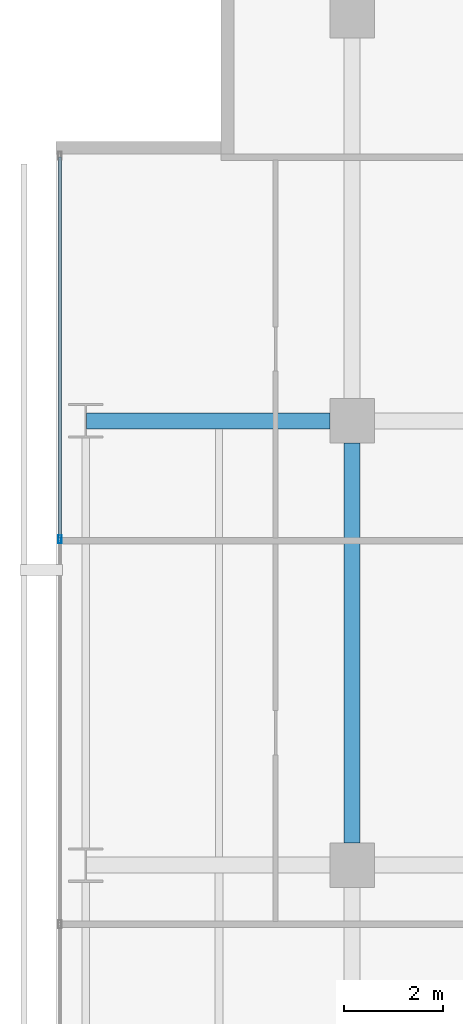
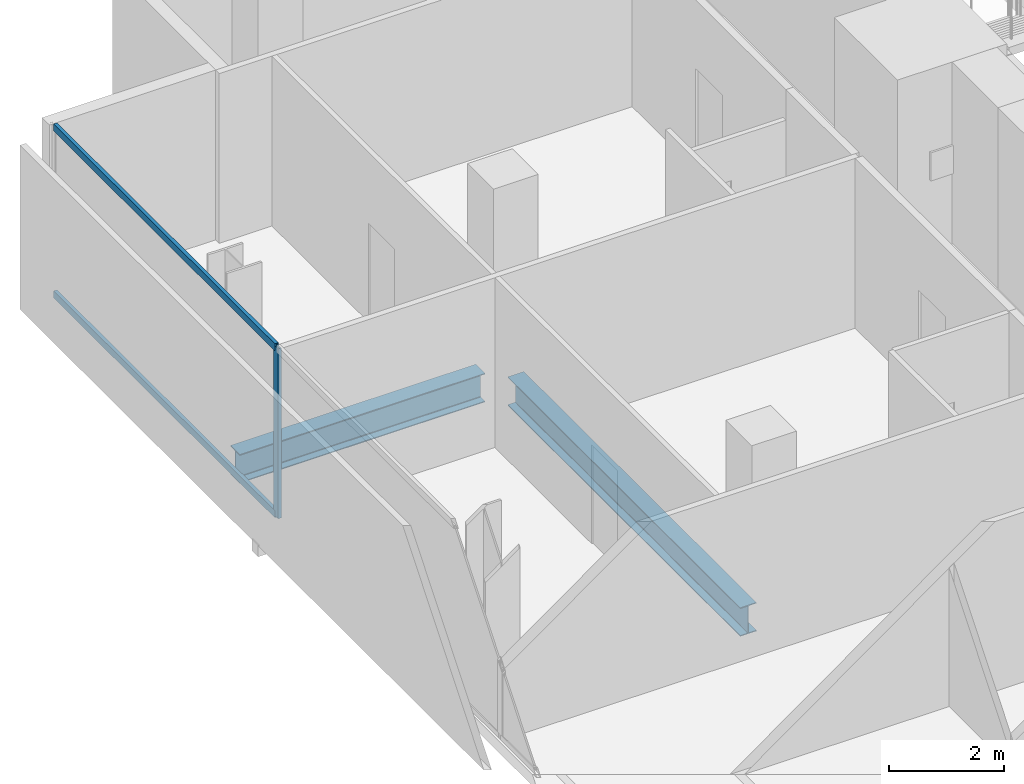
# One storey, part 23 of 40: 3 members, 2 beams, 1 element without a shape of its own.
"""IFC4 building model written with IfcOpenShell, lengths in metres."""

import ifcopenshell
import ifcopenshell.guid

model = None  # the IFC model being written
_history = None  # IfcOwnerHistory: only IFC2X3 demands one
_inside = {}  # id of a spatial element -> (the spatial element, [elements in it])
_under = {}  # id of a project, library or spatial element -> (it, [spatial elements below it])
_declared = {}  # id of a project -> (the project, [libraries it declares])
_typed = {}  # id of a type object -> (the type object, [elements of that type])
_made_of = {}  # id of a material, layer set ... -> (it, [elements and type objects made of it])


def new_model(schema):
    """Start an empty IFC model of exactly this schema.

    Asked for "IFC4X3", IfcOpenShell would pick the latest addendum, in which some entities
    have other attributes; the version numbers below select the first issue.
    IFC2X3 requires an IfcOwnerHistory on every rooted entity: one is made here for all.
    """
    global model, _history
    if schema == "IFC4X3":
        model = ifcopenshell.file(schema_version=(4, 3, 0, 0))
    else:
        model = ifcopenshell.file(schema=schema)
    _inside.clear()
    _under.clear()
    _declared.clear()
    _typed.clear()
    _made_of.clear()
    _history = None
    if model.schema == "IFC2X3":
        org = make("IfcOrganization", Name="unknown")
        user = make(
            "IfcPersonAndOrganization",
            ThePerson=make("IfcPerson", FamilyName="unknown"),
            TheOrganization=org,
        )
        app = make(
            "IfcApplication",
            ApplicationDeveloper=org,
            Version="unknown",
            ApplicationFullName="unknown",
            ApplicationIdentifier="unknown",
        )
        _history = make(
            "IfcOwnerHistory",
            OwningUser=user,
            OwningApplication=app,
            ChangeAction="ADDED",
            CreationDate=0,
        )
    return model


def make(cls, **values):
    """One entity of the class cls with the attributes given. An attribute that is None is left unset."""
    return model.create_entity(
        cls, **{name: value for name, value in values.items() if value is not None}
    )


def rooted(cls, **values):
    """An entity with a GlobalId (a new one), such as an element, a storey or a relation."""
    return make(cls, GlobalId=ifcopenshell.guid.new(), OwnerHistory=_history, **values)


def si_unit(unit_type, name, prefix=None):
    """IfcSIUnit, for example si_unit("LENGTHUNIT", "METRE", prefix="MILLI")."""
    return make("IfcSIUnit", UnitType=unit_type, Prefix=prefix, Name=name)


def assignment(units):
    """IfcUnitAssignment: the units of a project."""
    return None if units is None else make("IfcUnitAssignment", Units=units)


def point(xyz):
    """IfcCartesianPoint."""
    return None if xyz is None else make("IfcCartesianPoint", Coordinates=xyz)


def direction(xyz):
    """IfcDirection."""
    return None if xyz is None else make("IfcDirection", DirectionRatios=xyz)


def frame(location, z_axis=None, x_axis=None):
    """IfcAxis2Placement3D, a coordinate frame: its origin and axes. An axis left out is left unset."""
    return make(
        "IfcAxis2Placement3D",
        Location=point(location),
        Axis=direction(z_axis),
        RefDirection=direction(x_axis),
    )


def frame_2d(location, x_axis=None):
    """IfcAxis2Placement2D, a coordinate frame in the plane: its origin and x axis."""
    return make(
        "IfcAxis2Placement2D", Location=point(location), RefDirection=direction(x_axis)
    )


def origin():
    """The frame at (0, 0, 0) with its axes left unset."""
    return frame((0.0, 0.0, 0.0))


def origin_2d():
    """The frame at (0, 0) in the plane with its x axis left unset."""
    return frame_2d((0.0, 0.0))


def place(relative_to, where):
    """IfcLocalPlacement: puts the frame where relative to a parent placement (None: the world)."""
    return make(
        "IfcLocalPlacement", PlacementRelTo=relative_to, RelativePlacement=where
    )


def context(
    kind, dimensions, precision=None, world=None, true_north=None, identifier=None
):
    """IfcGeometricRepresentationContext, for example the 3D "Model" context."""
    return make(
        "IfcGeometricRepresentationContext",
        ContextIdentifier=identifier,
        ContextType=kind,
        CoordinateSpaceDimension=dimensions,
        Precision=precision,
        WorldCoordinateSystem=world,
        TrueNorth=true_north,
    )


def subcontext(parent, identifier, kind, view, scale=None):
    """IfcGeometricRepresentationSubContext, for example "Body" below "Model"."""
    return make(
        "IfcGeometricRepresentationSubContext",
        ContextIdentifier=identifier,
        ContextType=kind,
        ParentContext=parent,
        TargetScale=scale,
        TargetView=view,
    )


def project(units=None, contexts=None):
    """IfcProject with its units and contexts."""
    return rooted(
        "IfcProject",
        Name="project",
        RepresentationContexts=contexts,
        UnitsInContext=assignment(units),
    )


def spatial(cls, under=None, at=None, **own):
    """A site, building, storey or space (cls), placed at a placement, below another one or the project."""
    s = rooted(cls, ObjectPlacement=at, **own)
    if under is not None:
        _under.setdefault(under.id(), (under, []))[1].append(s)
    return s


def profile(cls, at=None, kind="AREA", **sizes):
    """A parametric profile (cls). Its sizes go by their IFC names, for example OverallWidth=200.0."""
    return make(cls, ProfileType=kind, Position=at, **sizes)


def hollow_rectangle(**sizes):
    """IfcRectangleHollowProfileDef."""
    return profile("IfcRectangleHollowProfileDef", **sizes)


def i_section(**sizes):
    """IfcIShapeProfileDef."""
    return profile("IfcIShapeProfileDef", **sizes)


def extrude(swept, where, along, depth):
    """IfcExtrudedAreaSolid: the profile swept, set in the frame where, extruded along a direction by depth."""
    return make(
        "IfcExtrudedAreaSolid",
        SweptArea=swept,
        Position=where,
        ExtrudedDirection=direction(along),
        Depth=depth,
    )


def shape(context_of_items, identifier, shape_type, items):
    """IfcShapeRepresentation: the items that make up one representation, for example the "Body"."""
    return make(
        "IfcShapeRepresentation",
        ContextOfItems=context_of_items,
        RepresentationIdentifier=identifier,
        RepresentationType=shape_type,
        Items=items,
    )


def material(Name=None, Category=None):
    """IfcMaterial."""
    return make("IfcMaterial", Name=Name, Category=Category)


def layer(
    of_material, thickness, ventilated=None, Name=None, Category=None, Priority=None
):
    """IfcMaterialLayer: one layer of a wall or slab, of a material (None: an air gap)."""
    return make(
        "IfcMaterialLayer",
        Material=of_material,
        LayerThickness=thickness,
        IsVentilated=ventilated,
        Name=Name,
        Category=Category,
        Priority=Priority,
    )


def layer_set(layers, Name=None):
    """IfcMaterialLayerSet."""
    return make("IfcMaterialLayerSet", MaterialLayers=layers, LayerSetName=Name)


def material_profile(
    of_material, cross_section, Name=None, Category=None, Priority=None
):
    """IfcMaterialProfile: a cross section and its material."""
    return make(
        "IfcMaterialProfile",
        Name=Name,
        Material=of_material,
        Profile=cross_section,
        Priority=Priority,
        Category=Category,
    )


def profile_set(profiles, Name=None, composite=None):
    """IfcMaterialProfileSet."""
    return make(
        "IfcMaterialProfileSet",
        Name=Name,
        MaterialProfiles=profiles,
        CompositeProfile=composite,
    )


def made_of(thing, what):
    """Note that an element or type object is made of a material, layer set ...; save() writes the relation."""
    if what is not None:
        _made_of.setdefault(what.id(), (what, []))[1].append(thing)
    return thing


def type_object(cls, material=None, **own):
    """A type object (cls), such as IfcWallType, which elements share."""
    return made_of(rooted(cls, **own), material)


def element(
    cls,
    number,
    at=None,
    inside=None,
    cuts=None,
    type_object=None,
    material=None,
    context=None,
    identifier="Body",
    shape_type=None,
    held_by="IfcProductDefinitionShape",
    body=None,
    shapes=None,
    **own,
):
    """One element of the class cls, such as IfcWall. Its Tag is "e" and its number.

    at: its placement. inside: the storey or other place that contains it. cuts: it is an
    opening in that element (IfcRelVoidsElement). A single representation is given by context,
    identifier, shape_type and body (its items); several are given by shapes. held_by: the class
    of the entity that holds the representations. save() writes the other relations.
    """
    e = rooted(cls, Tag="e%d" % number, ObjectPlacement=at, **own)
    if body is not None:
        shapes = [shape(context, identifier, shape_type, body)]
    if shapes is not None:
        e.Representation = make(held_by, Representations=shapes)
    if inside is not None:
        _inside.setdefault(inside.id(), (inside, []))[1].append(e)
    if cuts is not None:
        rooted(
            "IfcRelVoidsElement", RelatingBuildingElement=cuts, RelatedOpeningElement=e
        )
    if type_object is not None:
        _typed.setdefault(type_object.id(), (type_object, []))[1].append(e)
    return made_of(e, material)


def aggregate(whole, parts):
    """IfcRelAggregates: a whole, such as a stair, and the parts it consists of."""
    return rooted("IfcRelAggregates", RelatingObject=whole, RelatedObjects=parts)


def save(model, path):
    """Write the relations noted so far, then the file.

    IfcRelAggregates (storeys below a building ...), IfcRelContainedInSpatialStructure (elements
    in a storey), IfcRelDefinesByType, IfcRelAssociatesMaterial and IfcRelDeclares: one each for
    every whole, place, type object, material and project.
    """
    for whole, parts in _under.values():
        aggregate(whole, parts)
    for where, things in _inside.values():
        rooted(
            "IfcRelContainedInSpatialStructure",
            RelatedElements=things,
            RelatingStructure=where,
        )
    for kind, things in _typed.values():
        rooted("IfcRelDefinesByType", RelatedObjects=things, RelatingType=kind)
    for what, things in _made_of.values():
        rooted("IfcRelAssociatesMaterial", RelatedObjects=things, RelatingMaterial=what)
    for by, libraries in _declared.values():
        rooted("IfcRelDeclares", RelatingContext=by, RelatedDefinitions=libraries)
    model.write(path)


model = new_model("IFC4")

# Units and contexts
model_context = context("Model", 3, precision=1e-05, world=origin(), true_north=direction((0.0, 1.0)))
body_context = subcontext(model_context, "Body", "Model", "MODEL_VIEW")
ifc_project = project(units=[si_unit("LENGTHUNIT", "METRE"), si_unit("AREAUNIT", "SQUARE_METRE"), si_unit("VOLUMEUNIT", "CUBIC_METRE"), si_unit("PLANEANGLEUNIT", "RADIAN"), si_unit("MASSUNIT", "GRAM", prefix="KILO")], contexts=[model_context])

# Site, building, storey
site_placement = place(None, origin())
site = spatial("IfcSite", under=ifc_project, at=site_placement, CompositionType="ELEMENT")
building_placement = place(site_placement, origin())
building = spatial("IfcBuilding", under=site, at=building_placement, Name="Maruvema Waterfront Hotel and Observation Tower", CompositionType="ELEMENT")
storey_placement = place(building_placement, frame((0.0, 0.0, 92.39990234375)))
storey = spatial("IfcBuildingStorey", under=building, at=storey_placement, Name="L22", CompositionType="ELEMENT", Elevation=92.39990234375)

# Curtain wall, members
ifc_material_1 = material(Name="Anodised bronze aluminium and solar-control low-E IGU", Category="aluminium")
ifc_layer = layer(ifc_material_1, 0.159912109375, Name="Zone 1 Bronze Inner Thermal Curtain Wall System CW-02")
ifc_layer_set = layer_set([ifc_layer], Name="Anodised bronze aluminium and solar-control low-E IGU")
curtain_wall_type = type_object("IfcCurtainWallType", Name="Zone 1 Bronze Inner Thermal Curtain Wall System CW-02", PredefinedType="USERDEFINED", material=ifc_layer_set)
curtain_wall_placement = place(storey_placement, origin())
curtain_wall = element("IfcCurtainWall", 1, at=curtain_wall_placement, inside=storey, type_object=curtain_wall_type, Name="L22 Curtain Wall CW-L22-W", ObjectType="UNITISED CURTAIN WALL", PredefinedType="USERDEFINED")
ifc_material_2 = material(Name="Anodised architectural bronze aluminium", Category="aluminium")
ifc_material_profile_1 = material_profile(ifc_material_2, hollow_rectangle(XDim=0.070068359375, YDim=0.14990234375, WallThickness=0.00390625, at=origin_2d()), Name="ALU-T70x150")
ifc_profile_set_1 = profile_set([ifc_material_profile_1], Name="Anodised architectural bronze aluminium")
member_type_1 = type_object("IfcMemberType", Name="Curtain Wall Horizontal Transom ALU-T70x150", PredefinedType="USERDEFINED", material=ifc_profile_set_1)
member_1_placement = place(storey_placement, frame((10.8798828125, 50.340087890625, 0.030029296875), z_axis=(0.0, -1.0, 0.0), x_axis=(1.0, 0.0, 0.0)))
member_1 = element("IfcMember", 2, at=member_1_placement, type_object=member_type_1, Name="CW-02 transom 1.1", ObjectType="TRANSOM", PredefinedType="USERDEFINED", context=body_context, shape_type="SweptSolid", body=[
    extrude(hollow_rectangle(XDim=0.070068359375, YDim=0.14990234375, WallThickness=0.00390625, at=origin_2d()), origin(), (0.0, 0.0, 1.0), 7.710205078125),
])
member_2_placement = place(storey_placement, frame((10.8798828125, 50.340087890625, 3.580078125), z_axis=(0.0, -1.0, 0.0), x_axis=(1.0, 0.0, 0.0)))
member_2 = element("IfcMember", 3, at=member_2_placement, type_object=member_type_1, Name="CW-02 transom 1.2", ObjectType="TRANSOM", PredefinedType="USERDEFINED", context=body_context, shape_type="SweptSolid", body=[
    extrude(hollow_rectangle(XDim=0.070068359375, YDim=0.14990234375, WallThickness=0.00390625, at=origin_2d()), origin(), (0.0, 0.0, 1.0), 7.710205078125),
])
ifc_material_3 = material(Name="Anodised architectural bronze aluminium", Category="aluminium")
ifc_material_profile_2 = material_profile(ifc_material_3, hollow_rectangle(XDim=0.06494140625, YDim=0.1650390625, WallThickness=0.00390625, at=origin_2d()), Name="ALU-M65x165")
ifc_profile_set_2 = profile_set([ifc_material_profile_2], Name="Anodised architectural bronze aluminium")
member_type_2 = type_object("IfcMemberType", Name="Curtain Wall Primary Mullion ALU-M65x165", PredefinedType="MULLION", material=ifc_profile_set_2)
member_3_placement = place(storey_placement, frame((10.8798828125, 42.60009765625, 0.0), z_axis=(0.0, 0.0, 1.0), x_axis=(1.0, 0.0, 0.0)))
member_3 = element("IfcMember", 4, at=member_3_placement, type_object=member_type_2, Name="CW-02 mullion 2", PredefinedType="MULLION", context=body_context, shape_type="SweptSolid", body=[
    extrude(hollow_rectangle(XDim=0.06494140625, YDim=0.1650390625, WallThickness=0.00390625, at=origin_2d()), origin(), (0.0, 0.0, 1.0), 3.610107421875),
])
aggregate(curtain_wall, [member_3, member_1, member_2])

# Beams
ifc_material_4 = material(Name="Steel ASTM A572 Grade 50", Category="steel")
ifc_material_profile_3 = material_profile(ifc_material_4, i_section(OverallWidth=0.323974609375, OverallDepth=0.611083984375, WebThickness=0.0126953125, FlangeThickness=0.01904296875, FilletRadius=0.01806640625, at=origin_2d()), Name="W610x155.0")
ifc_profile_set_3 = profile_set([ifc_material_profile_3], Name="Steel ASTM A572 Grade 50")
beam_type = type_object("IfcBeamType", Name="Primary Floor Girder W610x155.0", PredefinedType="BEAM", material=ifc_profile_set_3)
beam_1_placement = place(storey_placement, frame((11.4140625, 45.0, -0.54541015625), z_axis=(1.0, 0.0, 0.0), x_axis=(0.0, 1.0, 0.0)))
element("IfcBeam", 5, at=beam_1_placement, inside=storey, type_object=beam_type, Name="L22 Floor Girder EW-32", PredefinedType="BEAM", context=body_context, shape_type="SweptSolid", body=[
    extrude(i_section(OverallWidth=0.323974609375, OverallDepth=0.611083984375, WebThickness=0.0126953125, FlangeThickness=0.01904296875, FilletRadius=0.01806640625, at=origin_2d()), origin(), (0.0, 0.0, 1.0), 4.93603515625),
])
beam_2_placement = place(storey_placement, frame((16.800048828125, 36.449951171875, -0.54541015625), z_axis=(0.0, 1.0, 0.0), x_axis=(-1.0, 0.0, 0.0)))
element("IfcBeam", 6, at=beam_2_placement, inside=storey, type_object=beam_type, Name="L22 Floor Girder NS-09", PredefinedType="BEAM", context=body_context, shape_type="SweptSolid", body=[
    extrude(i_section(OverallWidth=0.323974609375, OverallDepth=0.611083984375, WebThickness=0.0126953125, FlangeThickness=0.01904296875, FilletRadius=0.01806640625, at=origin_2d()), origin(), (0.0, 0.0, 1.0), 8.10009765625),
])

save(model, "model.ifc")
